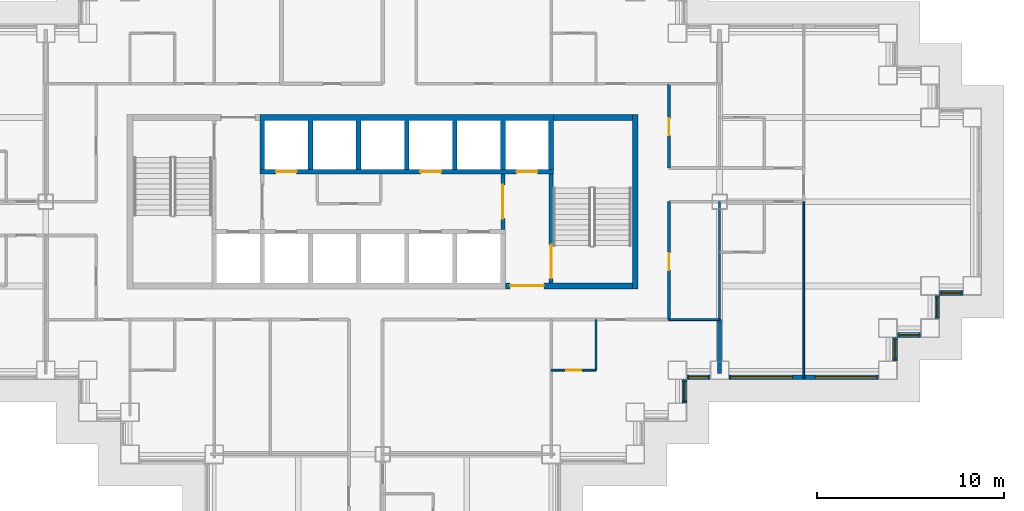
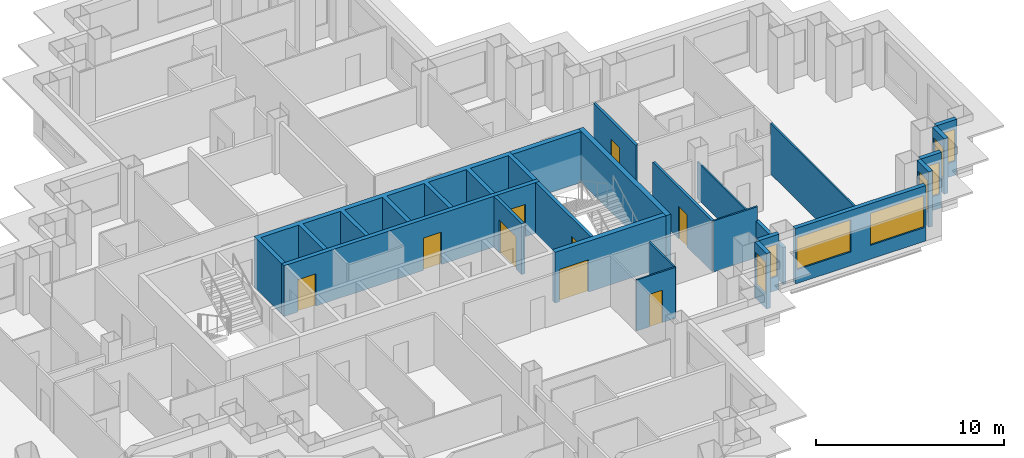
# One storey, part 6 of 14: 22 walls, 9 doors, 8 windows, 17 openings.
"""IFC4 building model written with IfcOpenShell, lengths in metres."""

import ifcopenshell
import ifcopenshell.guid

model = None  # the IFC model being written
_history = None  # IfcOwnerHistory: only IFC2X3 demands one
_inside = {}  # id of a spatial element -> (the spatial element, [elements in it])
_under = {}  # id of a project, library or spatial element -> (it, [spatial elements below it])
_declared = {}  # id of a project -> (the project, [libraries it declares])
_typed = {}  # id of a type object -> (the type object, [elements of that type])
_made_of = {}  # id of a material, layer set ... -> (it, [elements and type objects made of it])


def new_model(schema):
    """Start an empty IFC model of exactly this schema.

    Asked for "IFC4X3", IfcOpenShell would pick the latest addendum, in which some entities
    have other attributes; the version numbers below select the first issue.
    IFC2X3 requires an IfcOwnerHistory on every rooted entity: one is made here for all.
    """
    global model, _history
    if schema == "IFC4X3":
        model = ifcopenshell.file(schema_version=(4, 3, 0, 0))
    else:
        model = ifcopenshell.file(schema=schema)
    _inside.clear()
    _under.clear()
    _declared.clear()
    _typed.clear()
    _made_of.clear()
    _history = None
    if model.schema == "IFC2X3":
        org = make("IfcOrganization", Name="unknown")
        user = make(
            "IfcPersonAndOrganization",
            ThePerson=make("IfcPerson", FamilyName="unknown"),
            TheOrganization=org,
        )
        app = make(
            "IfcApplication",
            ApplicationDeveloper=org,
            Version="unknown",
            ApplicationFullName="unknown",
            ApplicationIdentifier="unknown",
        )
        _history = make(
            "IfcOwnerHistory",
            OwningUser=user,
            OwningApplication=app,
            ChangeAction="ADDED",
            CreationDate=0,
        )
    return model


def make(cls, **values):
    """One entity of the class cls with the attributes given. An attribute that is None is left unset."""
    return model.create_entity(
        cls, **{name: value for name, value in values.items() if value is not None}
    )


def rooted(cls, **values):
    """An entity with a GlobalId (a new one), such as an element, a storey or a relation."""
    return make(cls, GlobalId=ifcopenshell.guid.new(), OwnerHistory=_history, **values)


def si_unit(unit_type, name, prefix=None):
    """IfcSIUnit, for example si_unit("LENGTHUNIT", "METRE", prefix="MILLI")."""
    return make("IfcSIUnit", UnitType=unit_type, Prefix=prefix, Name=name)


def assignment(units):
    """IfcUnitAssignment: the units of a project."""
    return None if units is None else make("IfcUnitAssignment", Units=units)


def point(xyz):
    """IfcCartesianPoint."""
    return None if xyz is None else make("IfcCartesianPoint", Coordinates=xyz)


def direction(xyz):
    """IfcDirection."""
    return None if xyz is None else make("IfcDirection", DirectionRatios=xyz)


def frame(location, z_axis=None, x_axis=None):
    """IfcAxis2Placement3D, a coordinate frame: its origin and axes. An axis left out is left unset."""
    return make(
        "IfcAxis2Placement3D",
        Location=point(location),
        Axis=direction(z_axis),
        RefDirection=direction(x_axis),
    )


def frame_2d(location, x_axis=None):
    """IfcAxis2Placement2D, a coordinate frame in the plane: its origin and x axis."""
    return make(
        "IfcAxis2Placement2D", Location=point(location), RefDirection=direction(x_axis)
    )


def origin():
    """The frame at (0, 0, 0) with its axes left unset."""
    return frame((0.0, 0.0, 0.0))


def place(relative_to, where):
    """IfcLocalPlacement: puts the frame where relative to a parent placement (None: the world)."""
    return make(
        "IfcLocalPlacement", PlacementRelTo=relative_to, RelativePlacement=where
    )


def context(
    kind, dimensions, precision=None, world=None, true_north=None, identifier=None
):
    """IfcGeometricRepresentationContext, for example the 3D "Model" context."""
    return make(
        "IfcGeometricRepresentationContext",
        ContextIdentifier=identifier,
        ContextType=kind,
        CoordinateSpaceDimension=dimensions,
        Precision=precision,
        WorldCoordinateSystem=world,
        TrueNorth=true_north,
    )


def subcontext(parent, identifier, kind, view, scale=None):
    """IfcGeometricRepresentationSubContext, for example "Body" below "Model"."""
    return make(
        "IfcGeometricRepresentationSubContext",
        ContextIdentifier=identifier,
        ContextType=kind,
        ParentContext=parent,
        TargetScale=scale,
        TargetView=view,
    )


def project(units=None, contexts=None):
    """IfcProject with its units and contexts."""
    return rooted(
        "IfcProject",
        Name="project",
        RepresentationContexts=contexts,
        UnitsInContext=assignment(units),
    )


def spatial(cls, under=None, at=None, **own):
    """A site, building, storey or space (cls), placed at a placement, below another one or the project."""
    s = rooted(cls, ObjectPlacement=at, **own)
    if under is not None:
        _under.setdefault(under.id(), (under, []))[1].append(s)
    return s


def polyline(points):
    """IfcPolyline through the points."""
    return make("IfcPolyline", Points=[point(p) for p in points])


def profile(cls, at=None, kind="AREA", **sizes):
    """A parametric profile (cls). Its sizes go by their IFC names, for example OverallWidth=200.0."""
    return make(cls, ProfileType=kind, Position=at, **sizes)


def rectangle(**sizes):
    """IfcRectangleProfileDef."""
    return profile("IfcRectangleProfileDef", **sizes)


def outline(outer, holes=None, kind="AREA"):
    """IfcArbitraryClosedProfileDef: a profile drawn as a closed curve; with holes, ...WithVoids."""
    if holes is None:
        return make("IfcArbitraryClosedProfileDef", ProfileType=kind, OuterCurve=outer)
    return make(
        "IfcArbitraryProfileDefWithVoids",
        ProfileType=kind,
        OuterCurve=outer,
        InnerCurves=holes,
    )


def extrude(swept, where, along, depth):
    """IfcExtrudedAreaSolid: the profile swept, set in the frame where, extruded along a direction by depth."""
    return make(
        "IfcExtrudedAreaSolid",
        SweptArea=swept,
        Position=where,
        ExtrudedDirection=direction(along),
        Depth=depth,
    )


def shape(context_of_items, identifier, shape_type, items):
    """IfcShapeRepresentation: the items that make up one representation, for example the "Body"."""
    return make(
        "IfcShapeRepresentation",
        ContextOfItems=context_of_items,
        RepresentationIdentifier=identifier,
        RepresentationType=shape_type,
        Items=items,
    )


def material(Name=None, Category=None):
    """IfcMaterial."""
    return make("IfcMaterial", Name=Name, Category=Category)


def layer(
    of_material, thickness, ventilated=None, Name=None, Category=None, Priority=None
):
    """IfcMaterialLayer: one layer of a wall or slab, of a material (None: an air gap)."""
    return make(
        "IfcMaterialLayer",
        Material=of_material,
        LayerThickness=thickness,
        IsVentilated=ventilated,
        Name=Name,
        Category=Category,
        Priority=Priority,
    )


def layer_set(layers, Name=None):
    """IfcMaterialLayerSet."""
    return make("IfcMaterialLayerSet", MaterialLayers=layers, LayerSetName=Name)


def made_of(thing, what):
    """Note that an element or type object is made of a material, layer set ...; save() writes the relation."""
    if what is not None:
        _made_of.setdefault(what.id(), (what, []))[1].append(thing)
    return thing


def type_object(cls, material=None, **own):
    """A type object (cls), such as IfcWallType, which elements share."""
    return made_of(rooted(cls, **own), material)


def element(
    cls,
    number,
    at=None,
    inside=None,
    cuts=None,
    type_object=None,
    material=None,
    context=None,
    identifier="Body",
    shape_type=None,
    held_by="IfcProductDefinitionShape",
    body=None,
    shapes=None,
    **own,
):
    """One element of the class cls, such as IfcWall. Its Tag is "e" and its number.

    at: its placement. inside: the storey or other place that contains it. cuts: it is an
    opening in that element (IfcRelVoidsElement). A single representation is given by context,
    identifier, shape_type and body (its items); several are given by shapes. held_by: the class
    of the entity that holds the representations. save() writes the other relations.
    """
    e = rooted(cls, Tag="e%d" % number, ObjectPlacement=at, **own)
    if body is not None:
        shapes = [shape(context, identifier, shape_type, body)]
    if shapes is not None:
        e.Representation = make(held_by, Representations=shapes)
    if inside is not None:
        _inside.setdefault(inside.id(), (inside, []))[1].append(e)
    if cuts is not None:
        rooted(
            "IfcRelVoidsElement", RelatingBuildingElement=cuts, RelatedOpeningElement=e
        )
    if type_object is not None:
        _typed.setdefault(type_object.id(), (type_object, []))[1].append(e)
    return made_of(e, material)


def fill(opening, filler):
    """IfcRelFillsElement: the door or window that sits in an opening."""
    return rooted(
        "IfcRelFillsElement",
        RelatingOpeningElement=opening,
        RelatedBuildingElement=filler,
    )


def aggregate(whole, parts):
    """IfcRelAggregates: a whole, such as a stair, and the parts it consists of."""
    return rooted("IfcRelAggregates", RelatingObject=whole, RelatedObjects=parts)


def save(model, path):
    """Write the relations noted so far, then the file.

    IfcRelAggregates (storeys below a building ...), IfcRelContainedInSpatialStructure (elements
    in a storey), IfcRelDefinesByType, IfcRelAssociatesMaterial and IfcRelDeclares: one each for
    every whole, place, type object, material and project.
    """
    for whole, parts in _under.values():
        aggregate(whole, parts)
    for where, things in _inside.values():
        rooted(
            "IfcRelContainedInSpatialStructure",
            RelatedElements=things,
            RelatingStructure=where,
        )
    for kind, things in _typed.values():
        rooted("IfcRelDefinesByType", RelatedObjects=things, RelatingType=kind)
    for what, things in _made_of.values():
        rooted("IfcRelAssociatesMaterial", RelatedObjects=things, RelatingMaterial=what)
    for by, libraries in _declared.values():
        rooted("IfcRelDeclares", RelatingContext=by, RelatedDefinitions=libraries)
    model.write(path)


model = new_model("IFC4")

# Units and contexts
model_context = context("Model", 3, precision=1e-05, world=origin(), true_north=direction((0.0, 1.0)))
body_context = subcontext(model_context, "Body", "Model", "MODEL_VIEW")
ifc_project = project(units=[si_unit("LENGTHUNIT", "METRE"), si_unit("AREAUNIT", "SQUARE_METRE"), si_unit("VOLUMEUNIT", "CUBIC_METRE"), si_unit("PLANEANGLEUNIT", "RADIAN"), si_unit("MASSUNIT", "GRAM", prefix="KILO")], contexts=[model_context])

# Site, building, storey
site_placement = place(None, origin())
site = spatial("IfcSite", under=ifc_project, at=site_placement, CompositionType="ELEMENT")
building_placement = place(site_placement, origin())
building = spatial("IfcBuilding", under=site, at=building_placement, Name="Caravel Reach Hotel and Residences", CompositionType="ELEMENT")
storey_placement = place(building_placement, frame((0.0, 0.0, 67.199951171875)))
storey = spatial("IfcBuildingStorey", under=building, at=storey_placement, Name="L15", CompositionType="ELEMENT", Elevation=67.199951171875)

# Wall, opening, door
ifc_material_1 = material(Name="Gypsum board on steel stud", Category="steel")
ifc_layer_1 = layer(ifc_material_1, 0.10009765625)
ifc_layer_set_1 = layer_set([ifc_layer_1], Name="Bathroom pod wall 100 mm")
wall_type_1 = type_object("IfcWallType", Name="Bathroom pod wall 100 mm", PredefinedType="PARTITIONING", material=ifc_layer_set_1)
wall_1_placement = place(storey_placement, frame((40.5, 18.0, 0.0), z_axis=(0.0, 0.0, 1.0), x_axis=(1.0, 0.0, 0.0)))
wall_1 = element("IfcWall", 1, at=wall_1_placement, inside=storey, type_object=wall_type_1, Name="L15 wall w076", PredefinedType="PARTITIONING", context=body_context, shape_type="SweptSolid", body=[
    extrude(rectangle(XDim=2.39990234375, YDim=0.10009765625, at=frame_2d((1.199951171875, 0.0))), origin(), (0.0, 0.0, 1.0), 3.300048828125),
])
opening_1_placement = place(wall_1_placement, frame((0.800048828125, 0.0, 0.0)))
opening_1 = element("IfcOpeningElement", 2, at=opening_1_placement, cuts=wall_1, Name="Opening D15-050", PredefinedType="OPENING", context=body_context, shape_type="SweptSolid", body=[
    extrude(rectangle(XDim=0.800048828125, YDim=2.10009765625, at=frame_2d((0.39990234375, 1.050048828125))), frame((0.0, 0.06005859375, 0.0), z_axis=(0.0, -1.0, 0.0), x_axis=(1.0, 0.0, 0.0)), (0.0, 0.0, 1.0), 0.1201171875),
])
ifc_material_2 = material(Name="Timber and steel door leaf", Category="steel")
door_type_1 = type_object("IfcDoorType", Name="Bathroom door 800 x 2100", OperationType="SINGLE_SWING_LEFT", PredefinedType="DOOR", material=ifc_material_2)
door_1_placement = place(opening_1_placement, origin())
door_1 = element("IfcDoor", 3, at=door_1_placement, inside=storey, type_object=door_type_1, Name="door D15-050", OperationType="SINGLE_SWING_LEFT", OverallHeight=2.10009765625, OverallWidth=0.800048828125, PredefinedType="DOOR", context=body_context, shape_type="SweptSolid", body=[
    extrude(rectangle(XDim=0.800048828125, YDim=2.10009765625, at=frame_2d((0.39990234375, 1.050048828125))), frame((0.0, 0.02490234375, 0.0), z_axis=(0.0, -1.0, 0.0), x_axis=(1.0, 0.0, 0.0)), (0.0, 0.0, 1.0), 0.050048828125),
])
fill(opening_1, door_1)

# Wall
wall_2_placement = place(storey_placement, frame((42.89990234375, 18.0, 0.0), z_axis=(0.0, 0.0, 1.0), x_axis=(0.0, 1.0, 0.0)))
element("IfcWall", 4, at=wall_2_placement, inside=storey, type_object=wall_type_1, Name="L15 wall w102", PredefinedType="PARTITIONING", context=body_context, shape_type="SweptSolid", body=[
    extrude(rectangle(XDim=2.699951171875, YDim=0.10009765625, at=frame_2d((1.35009765625, 0.0))), origin(), (0.0, 0.0, 1.0), 3.300048828125),
])

# Wall, opening, door
ifc_material_3 = material(Name="Concrete C60", Category="concrete")
ifc_layer_2 = layer(ifc_material_3, 0.300048828125)
ifc_layer_set_2 = layer_set([ifc_layer_2], Name="Core wall 300 mm EI 120")
wall_type_2 = type_object("IfcWallType", Name="Core wall 300 mm EI 120", PredefinedType="SHEAR", material=ifc_layer_set_2)
wall_3_placement = place(storey_placement, frame((38.053466796875, 22.5, 0.0), z_axis=(0.0, 0.0, 1.0), x_axis=(1.0, 0.0, 0.0)))
wall_3 = element("IfcWall", 5, at=wall_3_placement, inside=storey, type_object=wall_type_2, Name="L15 core wall S2", PredefinedType="SHEAR", context=body_context, shape_type="SweptSolid", body=[
    extrude(rectangle(XDim=6.796630859375, YDim=0.300048828125, at=frame_2d((3.3984375, 0.0))), origin(), (0.0, 0.0, 1.0), 3.300048828125),
])
opening_2_placement = place(wall_3_placement, frame((0.2607421875, 0.0, 0.0)))
opening_2 = element("IfcOpeningElement", 6, at=opening_2_placement, cuts=wall_3, Name="Opening D15-014", PredefinedType="OPENING", context=body_context, shape_type="SweptSolid", body=[
    extrude(rectangle(XDim=1.800048828125, YDim=2.10009765625, at=frame_2d((0.89990234375, 1.050048828125))), frame((0.0, 0.159912109375, 0.0), z_axis=(0.0, -1.0, 0.0), x_axis=(1.0, 0.0, 0.0)), (0.0, 0.0, 1.0), 0.320068359375),
])
ifc_material_4 = material(Name="Steel fire door leaf", Category="steel")
door_type_2 = type_object("IfcDoorType", Name="Fire lobby door pair 1800 x 2100 EI 90", OperationType="DOUBLE_DOOR_SINGLE_SWING", PredefinedType="DOOR", material=ifc_material_4)
door_2_placement = place(opening_2_placement, origin())
door_2 = element("IfcDoor", 7, at=door_2_placement, inside=storey, type_object=door_type_2, Name="lobby S door pair to corridor", OperationType="DOUBLE_DOOR_SINGLE_SWING", OverallHeight=2.10009765625, OverallWidth=1.800048828125, PredefinedType="DOOR", context=body_context, shape_type="SweptSolid", body=[
    extrude(rectangle(XDim=1.800048828125, YDim=2.10009765625, at=frame_2d((0.89990234375, 1.050048828125))), frame((0.0, 0.02490234375, 0.0), z_axis=(0.0, -1.0, 0.0), x_axis=(1.0, 0.0, 0.0)), (0.0, 0.0, 1.0), 0.050048828125),
])
fill(opening_2, door_2)

# Walls
wall_4_placement = place(storey_placement, frame((40.625, 31.5, 0.0), z_axis=(0.0, 0.0, 1.0), x_axis=(1.0, 0.0, 0.0)))
element("IfcWall", 8, at=wall_4_placement, inside=storey, type_object=wall_type_2, Name="L15 core wall N2", PredefinedType="SHEAR", context=body_context, shape_type="SweptSolid", body=[
    extrude(rectangle(XDim=4.22509765625, YDim=0.300048828125, at=frame_2d((2.112548828125, 0.0))), origin(), (0.0, 0.0, 1.0), 3.300048828125),
])
wall_5_placement = place(storey_placement, frame((45.0, 22.35009765625, 0.0), z_axis=(0.0, 0.0, 1.0), x_axis=(0.0, 1.0, 0.0)))
element("IfcWall", 9, at=wall_5_placement, inside=storey, type_object=wall_type_2, Name="L15 core wall E", PredefinedType="SHEAR", context=body_context, shape_type="SweptSolid", body=[
    extrude(rectangle(XDim=9.2998046875, YDim=0.300048828125, at=frame_2d((4.64990234375, 0.0))), origin(), (0.0, 0.0, 1.0), 3.300048828125),
])

# Wall, opening, door
ifc_material_5 = material(Name="Gypsum board on steel stud, fire-rated", Category="steel")
ifc_layer_3 = layer(ifc_material_5, 0.14990234375)
ifc_layer_set_3 = layer_set([ifc_layer_3], Name="Corridor wall 150 mm EI 60")
wall_type_3 = type_object("IfcWallType", Name="Corridor wall 150 mm EI 60", PredefinedType="PARTITIONING", material=ifc_layer_set_3)
wall_6_placement = place(storey_placement, frame((46.800048828125, 28.800048828125, 0.0), z_axis=(0.0, 0.0, 1.0), x_axis=(0.0, 1.0, 0.0)))
wall_6 = element("IfcWall", 10, at=wall_6_placement, inside=storey, type_object=wall_type_3, Name="L15 wall w034", PredefinedType="PARTITIONING", context=body_context, shape_type="SweptSolid", body=[
    extrude(rectangle(XDim=4.5, YDim=0.14990234375, at=frame_2d((2.25, 0.0))), origin(), (0.0, 0.0, 1.0), 3.300048828125),
])
opening_3_placement = place(wall_6_placement, frame((1.75, 0.0, 0.0)))
opening_3 = element("IfcOpeningElement", 11, at=opening_3_placement, cuts=wall_6, Name="Opening D15-060", PredefinedType="OPENING", context=body_context, shape_type="SweptSolid", body=[
    extrude(rectangle(XDim=0.89990234375, YDim=2.10009765625, at=frame_2d((0.449951171875, 1.050048828125))), frame((0.0, 0.0849609375, 0.0), z_axis=(0.0, -1.0, 0.0), x_axis=(1.0, 0.0, 0.0)), (0.0, 0.0, 1.0), 0.169921875),
])
ifc_material_6 = material(Name="Timber and steel door leaf", Category="steel")
door_type_3 = type_object("IfcDoorType", Name="Door 900 x 2100 timber", OperationType="SINGLE_SWING_LEFT", PredefinedType="DOOR", material=ifc_material_6)
door_3_placement = place(opening_3_placement, origin())
door_3 = element("IfcDoor", 12, at=door_3_placement, inside=storey, type_object=door_type_3, Name="door D15-060", OperationType="SINGLE_SWING_LEFT", OverallHeight=2.10009765625, OverallWidth=0.89990234375, PredefinedType="DOOR", context=body_context, shape_type="SweptSolid", body=[
    extrude(rectangle(XDim=0.89990234375, YDim=2.10009765625, at=frame_2d((0.449951171875, 1.050048828125))), frame((0.0, 0.02490234375, 0.0), z_axis=(0.0, -1.0, 0.0), x_axis=(1.0, 0.0, 0.0)), (0.0, 0.0, 1.0), 0.050048828125),
])
fill(opening_3, door_3)

wall_7_placement = place(storey_placement, frame((46.800048828125, 20.699951171875, 0.0), z_axis=(0.0, 0.0, 1.0), x_axis=(0.0, 1.0, 0.0)))
wall_7 = element("IfcWall", 13, at=wall_7_placement, inside=storey, type_object=wall_type_3, Name="L15 wall w035", PredefinedType="PARTITIONING", context=body_context, shape_type="SweptSolid", body=[
    extrude(rectangle(XDim=6.300048828125, YDim=0.14990234375, at=frame_2d((3.14990234375, 0.0))), origin(), (0.0, 0.0, 1.0), 3.300048828125),
])
opening_4_placement = place(wall_7_placement, frame((2.64990234375, 0.0, 0.0)))
opening_4 = element("IfcOpeningElement", 14, at=opening_4_placement, cuts=wall_7, Name="Opening D15-059", PredefinedType="OPENING", context=body_context, shape_type="SweptSolid", body=[
    extrude(rectangle(XDim=0.89990234375, YDim=2.10009765625, at=frame_2d((0.449951171875, 1.050048828125))), frame((0.0, 0.0849609375, 0.0), z_axis=(0.0, -1.0, 0.0), x_axis=(1.0, 0.0, 0.0)), (0.0, 0.0, 1.0), 0.169921875),
])
door_4_placement = place(opening_4_placement, origin())
door_4 = element("IfcDoor", 15, at=door_4_placement, inside=storey, type_object=door_type_3, Name="door D15-059", OperationType="SINGLE_SWING_RIGHT", OverallHeight=2.10009765625, OverallWidth=0.89990234375, PredefinedType="DOOR", context=body_context, shape_type="SweptSolid", body=[
    extrude(rectangle(XDim=0.89990234375, YDim=2.10009765625, at=frame_2d((0.449951171875, 1.050048828125))), frame((0.0, 0.02490234375, 0.0), z_axis=(0.0, -1.0, 0.0), x_axis=(1.0, 0.0, 0.0)), (0.0, 0.0, 1.0), 0.050048828125),
])
fill(opening_4, door_4)

# Wall, opening, window
ifc_material_7 = material(Name="Insulated rainscreen wall, aluminium cladding", Category="aluminium")
ifc_layer_4 = layer(ifc_material_7, 0.25)
ifc_layer_set_4 = layer_set([ifc_layer_4], Name="EW1 Tower rainscreen wall")
wall_type_4 = type_object("IfcWallType", Name="EW1 Tower rainscreen wall", PredefinedType="SOLIDWALL", material=ifc_layer_set_4)
wall_8_placement = place(storey_placement, frame((47.625, 16.25, 0.0), z_axis=(0.0, 0.0, 1.0), x_axis=(0.0, 1.0, 0.0)))
wall_8 = element("IfcWall", 16, at=wall_8_placement, inside=storey, type_object=wall_type_4, Name="External wall L15 E14.1", PredefinedType="SOLIDWALL", context=body_context, shape_type="SweptSolid", body=[
    extrude(rectangle(XDim=1.25, YDim=0.25, at=frame_2d((0.625, 0.0))), origin(), (0.0, 0.0, 1.0), 3.60009765625),
])
opening_5_placement = place(wall_8_placement, frame((0.10009765625, 0.0, 0.89990234375)))
opening_5 = element("IfcOpeningElement", 17, at=opening_5_placement, cuts=wall_8, Name="Opening WN3", PredefinedType="OPENING", context=body_context, shape_type="SweptSolid", body=[
    extrude(rectangle(XDim=1.050048828125, YDim=2.080078125, at=frame_2d((0.52490234375, 1.0400390625))), frame((0.0, 0.135009765625, 0.0), z_axis=(0.0, -1.0, 0.0), x_axis=(1.0, 0.0, 0.0)), (0.0, 0.0, 1.0), 0.27001953125),
])
ifc_material_8 = material(Name="Dark low-e glazing in black aluminium frame", Category="aluminium")
window_type_1 = type_object("IfcWindowType", Name="Hotel suite corner window 1050 x 2080", PartitioningType="SINGLE_PANEL", PredefinedType="WINDOW", material=ifc_material_8)
window_1_placement = place(opening_5_placement, origin())
window_1 = element("IfcWindow", 18, at=window_1_placement, inside=storey, type_object=window_type_1, Name="Window L15 E14.1.1", OverallHeight=2.080078125, OverallWidth=1.050048828125, PartitioningType="SINGLE_PANEL", PredefinedType="WINDOW", context=body_context, shape_type="SweptSolid", body=[
    extrude(rectangle(XDim=1.050048828125, YDim=2.080078125, at=frame_2d((0.52490234375, 1.0400390625))), frame((0.0, 0.030029296875, 0.0), z_axis=(0.0, -1.0, 0.0), x_axis=(1.0, 0.0, 0.0)), (0.0, 0.0, 1.0), 0.06005859375),
])
fill(opening_5, window_1)

wall_9_placement = place(storey_placement, frame((47.75, 17.625, 0.0), z_axis=(0.0, 0.0, 1.0), x_axis=(1.0, 0.0, 0.0)))
wall_9 = element("IfcWall", 19, at=wall_9_placement, inside=storey, type_object=wall_type_4, Name="External wall L15 S15.1", PredefinedType="SOLIDWALL", context=body_context, shape_type="SweptSolid", body=[
    extrude(rectangle(XDim=1.25, YDim=0.25, at=frame_2d((0.625, 0.0))), origin(), (0.0, 0.0, 1.0), 3.60009765625),
])
opening_6_placement = place(wall_9_placement, frame((0.10009765625, 0.0, 0.89990234375)))
opening_6 = element("IfcOpeningElement", 20, at=opening_6_placement, cuts=wall_9, Name="Opening WN3", PredefinedType="OPENING", context=body_context, shape_type="SweptSolid", body=[
    extrude(rectangle(XDim=1.050048828125, YDim=2.080078125, at=frame_2d((0.52490234375, 1.0400390625))), frame((0.0, 0.135009765625, 0.0), z_axis=(0.0, -1.0, 0.0), x_axis=(1.0, 0.0, 0.0)), (0.0, 0.0, 1.0), 0.27001953125),
])
window_2_placement = place(opening_6_placement, origin())
window_2 = element("IfcWindow", 21, at=window_2_placement, inside=storey, type_object=window_type_1, Name="Window L15 S15.1.1", OverallHeight=2.080078125, OverallWidth=1.050048828125, PartitioningType="SINGLE_PANEL", PredefinedType="WINDOW", context=body_context, shape_type="SweptSolid", body=[
    extrude(rectangle(XDim=1.050048828125, YDim=2.080078125, at=frame_2d((0.52490234375, 1.0400390625))), frame((0.0, 0.030029296875, 0.0), z_axis=(0.0, -1.0, 0.0), x_axis=(1.0, 0.0, 0.0)), (0.0, 0.0, 1.0), 0.06005859375),
])
fill(opening_6, window_2)

# Wall, openings, windows
wall_10_placement = place(storey_placement, frame((50.0, 17.625, 0.0), z_axis=(0.0, 0.0, 1.0), x_axis=(1.0, 0.0, 0.0)))
wall_10 = element("IfcWall", 22, at=wall_10_placement, inside=storey, type_object=wall_type_4, Name="External wall L15 S15.2", PredefinedType="SOLIDWALL", context=body_context, shape_type="SweptSolid", body=[
    extrude(rectangle(XDim=8.0, YDim=0.25, at=frame_2d((4.0, 0.0))), origin(), (0.0, 0.0, 1.0), 3.60009765625),
])
opening_7_placement = place(wall_10_placement, frame((0.10009765625, 0.0, 0.89990234375)))
opening_7 = element("IfcOpeningElement", 23, at=opening_7_placement, cuts=wall_10, Name="Opening WN4", PredefinedType="OPENING", context=body_context, shape_type="SweptSolid", body=[
    extrude(rectangle(XDim=3.300048828125, YDim=2.080078125, at=frame_2d((1.64990234375, 1.0400390625))), frame((0.0, 0.135009765625, 0.0), z_axis=(0.0, -1.0, 0.0), x_axis=(1.0, 0.0, 0.0)), (0.0, 0.0, 1.0), 0.27001953125),
])
opening_8_placement = place(wall_10_placement, frame((4.60009765625, 0.0, 0.89990234375)))
opening_8 = element("IfcOpeningElement", 24, at=opening_8_placement, cuts=wall_10, Name="Opening WN4", PredefinedType="OPENING", context=body_context, shape_type="SweptSolid", body=[
    extrude(rectangle(XDim=3.300048828125, YDim=2.080078125, at=frame_2d((1.64990234375, 1.0400390625))), frame((0.0, 0.135009765625, 0.0), z_axis=(0.0, -1.0, 0.0), x_axis=(1.0, 0.0, 0.0)), (0.0, 0.0, 1.0), 0.27001953125),
])
ifc_material_9 = material(Name="Dark low-e glazing in black aluminium frame", Category="aluminium")
window_type_2 = type_object("IfcWindowType", Name="Hotel guest room window 3300 x 2080", PartitioningType="SINGLE_PANEL", PredefinedType="WINDOW", material=ifc_material_9)
window_3_placement = place(opening_7_placement, origin())
window_3 = element("IfcWindow", 25, at=window_3_placement, inside=storey, type_object=window_type_2, Name="Window L15 S15.2.1", OverallHeight=2.080078125, OverallWidth=3.300048828125, PartitioningType="SINGLE_PANEL", PredefinedType="WINDOW", context=body_context, shape_type="SweptSolid", body=[
    extrude(rectangle(XDim=3.300048828125, YDim=2.080078125, at=frame_2d((1.64990234375, 1.0400390625))), frame((0.0, 0.030029296875, 0.0), z_axis=(0.0, -1.0, 0.0), x_axis=(1.0, 0.0, 0.0)), (0.0, 0.0, 1.0), 0.06005859375),
])
fill(opening_7, window_3)
window_4_placement = place(opening_8_placement, origin())
window_4 = element("IfcWindow", 26, at=window_4_placement, inside=storey, type_object=window_type_2, Name="Window L15 S15.2.2", OverallHeight=2.080078125, OverallWidth=3.300048828125, PartitioningType="SINGLE_PANEL", PredefinedType="WINDOW", context=body_context, shape_type="SweptSolid", body=[
    extrude(rectangle(XDim=3.300048828125, YDim=2.080078125, at=frame_2d((1.64990234375, 1.0400390625))), frame((0.0, 0.030029296875, 0.0), z_axis=(0.0, -1.0, 0.0), x_axis=(1.0, 0.0, 0.0)), (0.0, 0.0, 1.0), 0.06005859375),
])
fill(opening_8, window_4)

# Wall, opening, window
wall_11_placement = place(storey_placement, frame((58.875, 18.5, 0.0), z_axis=(0.0, 0.0, 1.0), x_axis=(0.0, 1.0, 0.0)))
wall_11 = element("IfcWall", 27, at=wall_11_placement, inside=storey, type_object=wall_type_4, Name="External wall L15 E16.1", PredefinedType="SOLIDWALL", context=body_context, shape_type="SweptSolid", body=[
    extrude(rectangle(XDim=1.25, YDim=0.25, at=frame_2d((0.625, 0.0))), origin(), (0.0, 0.0, 1.0), 3.60009765625),
])
opening_9_placement = place(wall_11_placement, frame((0.10009765625, 0.0, 0.89990234375)))
opening_9 = element("IfcOpeningElement", 28, at=opening_9_placement, cuts=wall_11, Name="Opening WN3", PredefinedType="OPENING", context=body_context, shape_type="SweptSolid", body=[
    extrude(rectangle(XDim=1.050048828125, YDim=2.080078125, at=frame_2d((0.52490234375, 1.0400390625))), frame((0.0, 0.135009765625, 0.0), z_axis=(0.0, -1.0, 0.0), x_axis=(1.0, 0.0, 0.0)), (0.0, 0.0, 1.0), 0.27001953125),
])
window_5_placement = place(opening_9_placement, origin())
window_5 = element("IfcWindow", 29, at=window_5_placement, inside=storey, type_object=window_type_1, Name="Window L15 E16.1.1", OverallHeight=2.080078125, OverallWidth=1.050048828125, PartitioningType="SINGLE_PANEL", PredefinedType="WINDOW", context=body_context, shape_type="SweptSolid", body=[
    extrude(rectangle(XDim=1.050048828125, YDim=2.080078125, at=frame_2d((0.52490234375, 1.0400390625))), frame((0.0, 0.030029296875, 0.0), z_axis=(0.0, -1.0, 0.0), x_axis=(1.0, 0.0, 0.0)), (0.0, 0.0, 1.0), 0.06005859375),
])
fill(opening_9, window_5)

wall_12_placement = place(storey_placement, frame((59.0, 19.875, 0.0), z_axis=(0.0, 0.0, 1.0), x_axis=(1.0, 0.0, 0.0)))
wall_12 = element("IfcWall", 30, at=wall_12_placement, inside=storey, type_object=wall_type_4, Name="External wall L15 S17.1", PredefinedType="SOLIDWALL", context=body_context, shape_type="SweptSolid", body=[
    extrude(rectangle(XDim=1.25, YDim=0.25, at=frame_2d((0.625, 0.0))), origin(), (0.0, 0.0, 1.0), 3.60009765625),
])
opening_10_placement = place(wall_12_placement, frame((0.10009765625, 0.0, 0.89990234375)))
opening_10 = element("IfcOpeningElement", 31, at=opening_10_placement, cuts=wall_12, Name="Opening WN3", PredefinedType="OPENING", context=body_context, shape_type="SweptSolid", body=[
    extrude(rectangle(XDim=1.050048828125, YDim=2.080078125, at=frame_2d((0.52490234375, 1.0400390625))), frame((0.0, 0.135009765625, 0.0), z_axis=(0.0, -1.0, 0.0), x_axis=(1.0, 0.0, 0.0)), (0.0, 0.0, 1.0), 0.27001953125),
])
window_6_placement = place(opening_10_placement, origin())
window_6 = element("IfcWindow", 32, at=window_6_placement, inside=storey, type_object=window_type_1, Name="Window L15 S17.1.1", OverallHeight=2.080078125, OverallWidth=1.050048828125, PartitioningType="SINGLE_PANEL", PredefinedType="WINDOW", context=body_context, shape_type="SweptSolid", body=[
    extrude(rectangle(XDim=1.050048828125, YDim=2.080078125, at=frame_2d((0.52490234375, 1.0400390625))), frame((0.0, 0.030029296875, 0.0), z_axis=(0.0, -1.0, 0.0), x_axis=(1.0, 0.0, 0.0)), (0.0, 0.0, 1.0), 0.06005859375),
])
fill(opening_10, window_6)

wall_13_placement = place(storey_placement, frame((61.125, 20.75, 0.0), z_axis=(0.0, 0.0, 1.0), x_axis=(0.0, 1.0, 0.0)))
wall_13 = element("IfcWall", 33, at=wall_13_placement, inside=storey, type_object=wall_type_4, Name="External wall L15 E18.1", PredefinedType="SOLIDWALL", context=body_context, shape_type="SweptSolid", body=[
    extrude(rectangle(XDim=1.25, YDim=0.25, at=frame_2d((0.625, 0.0))), origin(), (0.0, 0.0, 1.0), 3.60009765625),
])
opening_11_placement = place(wall_13_placement, frame((0.10009765625, 0.0, 0.89990234375)))
opening_11 = element("IfcOpeningElement", 34, at=opening_11_placement, cuts=wall_13, Name="Opening WN3", PredefinedType="OPENING", context=body_context, shape_type="SweptSolid", body=[
    extrude(rectangle(XDim=1.050048828125, YDim=2.080078125, at=frame_2d((0.52490234375, 1.0400390625))), frame((0.0, 0.135009765625, 0.0), z_axis=(0.0, -1.0, 0.0), x_axis=(1.0, 0.0, 0.0)), (0.0, 0.0, 1.0), 0.27001953125),
])
window_7_placement = place(opening_11_placement, origin())
window_7 = element("IfcWindow", 35, at=window_7_placement, inside=storey, type_object=window_type_1, Name="Window L15 E18.1.1", OverallHeight=2.080078125, OverallWidth=1.050048828125, PartitioningType="SINGLE_PANEL", PredefinedType="WINDOW", context=body_context, shape_type="SweptSolid", body=[
    extrude(rectangle(XDim=1.050048828125, YDim=2.080078125, at=frame_2d((0.52490234375, 1.0400390625))), frame((0.0, 0.030029296875, 0.0), z_axis=(0.0, -1.0, 0.0), x_axis=(1.0, 0.0, 0.0)), (0.0, 0.0, 1.0), 0.06005859375),
])
fill(opening_11, window_7)

wall_14_placement = place(storey_placement, frame((61.25, 22.125, 0.0), z_axis=(0.0, 0.0, 1.0), x_axis=(1.0, 0.0, 0.0)))
wall_14 = element("IfcWall", 36, at=wall_14_placement, inside=storey, type_object=wall_type_4, Name="External wall L15 S19.1", PredefinedType="SOLIDWALL", context=body_context, shape_type="SweptSolid", body=[
    extrude(rectangle(XDim=1.25, YDim=0.25, at=frame_2d((0.625, 0.0))), origin(), (0.0, 0.0, 1.0), 3.60009765625),
])
opening_12_placement = place(wall_14_placement, frame((0.10009765625, 0.0, 0.89990234375)))
opening_12 = element("IfcOpeningElement", 37, at=opening_12_placement, cuts=wall_14, Name="Opening WN3", PredefinedType="OPENING", context=body_context, shape_type="SweptSolid", body=[
    extrude(rectangle(XDim=1.050048828125, YDim=2.080078125, at=frame_2d((0.52490234375, 1.0400390625))), frame((0.0, 0.135009765625, 0.0), z_axis=(0.0, -1.0, 0.0), x_axis=(1.0, 0.0, 0.0)), (0.0, 0.0, 1.0), 0.27001953125),
])
window_8_placement = place(opening_12_placement, origin())
window_8 = element("IfcWindow", 38, at=window_8_placement, inside=storey, type_object=window_type_1, Name="Window L15 S19.1.1", OverallHeight=2.080078125, OverallWidth=1.050048828125, PartitioningType="SINGLE_PANEL", PredefinedType="WINDOW", context=body_context, shape_type="SweptSolid", body=[
    extrude(rectangle(XDim=1.050048828125, YDim=2.080078125, at=frame_2d((0.52490234375, 1.0400390625))), frame((0.0, 0.030029296875, 0.0), z_axis=(0.0, -1.0, 0.0), x_axis=(1.0, 0.0, 0.0)), (0.0, 0.0, 1.0), 0.06005859375),
])
fill(opening_12, window_8)

# Wall, opening, door
ifc_material_10 = material(Name="Autoclaved aerated block wall")
ifc_layer_5 = layer(ifc_material_10, 0.199951171875)
ifc_layer_set_5 = layer_set([ifc_layer_5], Name="Fire lobby wall 200 mm EI 120")
wall_type_5 = type_object("IfcWallType", Name="Fire lobby wall 200 mm EI 120", PredefinedType="PARTITIONING", material=ifc_layer_set_5)
wall_15_placement = place(storey_placement, frame((37.928466796875, 25.52490234375, 0.0), z_axis=(0.0, 0.0, 1.0), x_axis=(0.0, 1.0, 0.0)))
wall_15 = element("IfcWall", 39, at=wall_15_placement, inside=storey, type_object=wall_type_5, Name="L15 lobby E wall", PredefinedType="PARTITIONING", context=body_context, shape_type="SweptSolid", body=[
    extrude(rectangle(XDim=2.9501953125, YDim=0.199951171875, at=frame_2d((1.47509765625, 0.0))), origin(), (0.0, 0.0, 1.0), 3.300048828125),
])
opening_13_placement = place(wall_15_placement, frame((0.574951171875, 0.0, 0.0)))
opening_13 = element("IfcOpeningElement", 40, at=opening_13_placement, cuts=wall_15, Name="Opening D15-012", PredefinedType="OPENING", context=body_context, shape_type="SweptSolid", body=[
    extrude(rectangle(XDim=1.800048828125, YDim=2.10009765625, at=frame_2d((0.89990234375, 1.050048828125))), frame((0.0, 0.10986328125, 0.0), z_axis=(0.0, -1.0, 0.0), x_axis=(1.0, 0.0, 0.0)), (0.0, 0.0, 1.0), 0.219970703125),
])
door_5_placement = place(opening_13_placement, origin())
door_5 = element("IfcDoor", 41, at=door_5_placement, inside=storey, type_object=door_type_2, Name="lobby E door pair", OperationType="DOUBLE_DOOR_SINGLE_SWING", OverallHeight=2.10009765625, OverallWidth=1.800048828125, PredefinedType="DOOR", context=body_context, shape_type="SweptSolid", body=[
    extrude(rectangle(XDim=1.800048828125, YDim=2.10009765625, at=frame_2d((0.89990234375, 1.050048828125))), frame((0.0, 0.02490234375, 0.0), z_axis=(0.0, -1.0, 0.0), x_axis=(1.0, 0.0, 0.0)), (0.0, 0.0, 1.0), 0.050048828125),
])
fill(opening_13, door_5)

# Walls
ifc_material_11 = material(Name="Gypsum board on steel stud", Category="steel")
ifc_layer_6 = layer(ifc_material_11, 0.10009765625)
ifc_layer_set_6 = layer_set([ifc_layer_6], Name="Partition 100 mm")
wall_type_6 = type_object("IfcWallType", Name="Partition 100 mm", PredefinedType="PARTITIONING", material=ifc_layer_set_6)
wall_16_placement = place(storey_placement, frame((46.800048828125, 20.699951171875, 0.0), z_axis=(0.0, 0.0, 1.0), x_axis=(1.0, 0.0, 0.0)))
element("IfcWall", 42, at=wall_16_placement, inside=storey, type_object=wall_type_6, Name="L15 wall w041", PredefinedType="PARTITIONING", context=body_context, shape_type="SweptSolid", body=[
    extrude(rectangle(XDim=2.699951171875, YDim=0.10009765625, at=frame_2d((1.35009765625, 0.0))), origin(), (0.0, 0.0, 1.0), 3.300048828125),
])
wall_17_placement = place(storey_placement, frame((49.5, 20.699951171875, 0.0), z_axis=(0.0, 0.0, 1.0), x_axis=(0.0, 1.0, 0.0)))
element("IfcWall", 43, at=wall_17_placement, inside=storey, type_object=wall_type_6, Name="L15 wall w061", PredefinedType="PARTITIONING", context=body_context, shape_type="SweptSolid", body=[
    extrude(rectangle(XDim=6.300048828125, YDim=0.10009765625, at=frame_2d((3.14990234375, 0.0))), origin(), (0.0, 0.0, 1.0), 2.380126953125),
])
wall_18_placement = place(storey_placement, frame((54.0, 17.56005859375, 0.0), z_axis=(0.0, 0.0, 1.0), x_axis=(0.0, 1.0, 0.0)))
element("IfcWall", 44, at=wall_18_placement, inside=storey, type_object=wall_type_6, Name="L15 wall w063", PredefinedType="PARTITIONING", context=body_context, shape_type="SweptSolid", body=[
    extrude(rectangle(XDim=9.43994140625, YDim=0.10009765625, at=frame_2d((4.719970703125, 0.0))), origin(), (0.0, 0.0, 1.0), 3.300048828125),
])
ifc_material_12 = material(Name="Autoclaved aerated block wall")
ifc_layer_7 = layer(ifc_material_12, 0.199951171875)
ifc_layer_set_7 = layer_set([ifc_layer_7], Name="Party wall 200 mm EI 60")
wall_type_7 = type_object("IfcWallType", Name="Party wall 200 mm EI 60", PredefinedType="PARTITIONING", material=ifc_layer_set_7)
wall_19_placement = place(storey_placement, frame((49.5, 17.81005859375, 0.0), z_axis=(0.0, 0.0, 1.0), x_axis=(0.0, 1.0, 0.0)))
element("IfcWall", 45, at=wall_19_placement, inside=storey, type_object=wall_type_7, Name="L15 wall w072", PredefinedType="PARTITIONING", context=body_context, shape_type="SweptSolid", body=[
    extrude(rectangle(XDim=2.889892578125, YDim=0.199951171875, at=frame_2d((1.44482421875, 0.0))), origin(), (0.0, 0.0, 1.0), 2.380126953125),
])
ifc_material_13 = material(Name="Concrete C60", Category="concrete")
ifc_layer_8 = layer(ifc_material_13, 0.25)
ifc_layer_set_8 = layer_set([ifc_layer_8], Name="Shaft wall 250 mm EI 120")
wall_type_8 = type_object("IfcWallType", Name="Shaft wall 250 mm EI 120", PredefinedType="SHEAR", material=ifc_layer_set_8)
wall_20_placement = place(storey_placement, origin())
element("IfcWall", 46, at=wall_20_placement, inside=storey, type_object=wall_type_8, Name="L15 lift shaft wall N1", PredefinedType="SHEAR", context=body_context, shape_type="SweptSolid", body=[
    extrude(outline(polyline([(24.946533203125, 28.72509765625), (25.196533203125, 28.72509765625), (25.196533203125, 31.35009765625), (27.517822265625, 31.35009765625), (27.517822265625, 28.72509765625), (27.767822265625, 28.72509765625), (27.767822265625, 31.35009765625), (30.08935546875, 31.35009765625), (30.08935546875, 28.72509765625), (30.33935546875, 28.72509765625), (30.33935546875, 31.35009765625), (32.66064453125, 31.35009765625), (32.66064453125, 28.72509765625), (32.91064453125, 28.72509765625), (32.91064453125, 31.35009765625), (35.232177734375, 31.35009765625), (35.232177734375, 28.72509765625), (35.482177734375, 28.72509765625), (35.482177734375, 31.35009765625), (37.803466796875, 31.35009765625), (37.803466796875, 28.72509765625), (38.053466796875, 28.72509765625), (38.053466796875, 31.35009765625), (40.375, 31.35009765625), (40.375, 28.72509765625), (40.625, 28.72509765625), (40.625, 31.64990234375), (24.946533203125, 31.64990234375), (24.946533203125, 28.72509765625)])), origin(), (0.0, 0.0, 1.0), 3.300048828125),
])

# Wall, openings, doors
wall_21_placement = place(storey_placement, frame((24.946533203125, 28.60009765625, 0.0), z_axis=(0.0, 0.0, 1.0), x_axis=(1.0, 0.0, 0.0)))
wall_21 = element("IfcWall", 47, at=wall_21_placement, inside=storey, type_object=wall_type_8, Name="L15 lobby wall N1", PredefinedType="SHEAR", context=body_context, shape_type="SweptSolid", body=[
    extrude(rectangle(XDim=15.678466796875, YDim=0.25, at=frame_2d((7.83935546875, 0.0))), origin(), (0.0, 0.0, 1.0), 3.300048828125),
])
opening_14_placement = place(wall_21_placement, frame((0.860595703125, 0.0, 0.0)))
opening_14 = element("IfcOpeningElement", 48, at=opening_14_placement, cuts=wall_21, Name="Opening D15-004", PredefinedType="OPENING", context=body_context, shape_type="SweptSolid", body=[
    extrude(rectangle(XDim=1.10009765625, YDim=2.10009765625, at=frame_2d((0.550048828125, 1.050048828125))), frame((0.0, 0.135009765625, 0.0), z_axis=(0.0, -1.0, 0.0), x_axis=(1.0, 0.0, 0.0)), (0.0, 0.0, 1.0), 0.27001953125),
])
opening_15_placement = place(wall_21_placement, frame((8.574951171875, 0.0, 0.0)))
opening_15 = element("IfcOpeningElement", 49, at=opening_15_placement, cuts=wall_21, Name="Opening D15-005", PredefinedType="OPENING", context=body_context, shape_type="SweptSolid", body=[
    extrude(rectangle(XDim=1.10009765625, YDim=2.10009765625, at=frame_2d((0.550048828125, 1.050048828125))), frame((0.0, 0.135009765625, 0.0), z_axis=(0.0, -1.0, 0.0), x_axis=(1.0, 0.0, 0.0)), (0.0, 0.0, 1.0), 0.27001953125),
])
opening_16_placement = place(wall_21_placement, frame((13.718017578125, 0.0, 0.0)))
opening_16 = element("IfcOpeningElement", 50, at=opening_16_placement, cuts=wall_21, Name="Opening D15-007", PredefinedType="OPENING", context=body_context, shape_type="SweptSolid", body=[
    extrude(rectangle(XDim=1.10009765625, YDim=2.10009765625, at=frame_2d((0.550048828125, 1.050048828125))), frame((0.0, 0.135009765625, 0.0), z_axis=(0.0, -1.0, 0.0), x_axis=(1.0, 0.0, 0.0)), (0.0, 0.0, 1.0), 0.27001953125),
])
ifc_material_14 = material(Name="Stainless steel landing door", Category="steel")
door_type_4 = type_object("IfcDoorType", Name="Landing door LD 1100 x 2100 sliding", OperationType="DOUBLE_DOOR_SLIDING", PredefinedType="DOOR", material=ifc_material_14)
door_6_placement = place(opening_14_placement, origin())
door_6 = element("IfcDoor", 51, at=door_6_placement, inside=storey, type_object=door_type_4, Name="LP4 landing door", OperationType="DOUBLE_DOOR_SLIDING", OverallHeight=2.10009765625, OverallWidth=1.10009765625, PredefinedType="DOOR", context=body_context, shape_type="SweptSolid", body=[
    extrude(rectangle(XDim=1.10009765625, YDim=2.10009765625, at=frame_2d((0.550048828125, 1.050048828125))), frame((0.0, 0.02490234375, 0.0), z_axis=(0.0, -1.0, 0.0), x_axis=(1.0, 0.0, 0.0)), (0.0, 0.0, 1.0), 0.050048828125),
])
fill(opening_14, door_6)
door_7_placement = place(opening_15_placement, origin())
door_7 = element("IfcDoor", 52, at=door_7_placement, inside=storey, type_object=door_type_4, Name="LP5 landing door", OperationType="DOUBLE_DOOR_SLIDING", OverallHeight=2.10009765625, OverallWidth=1.10009765625, PredefinedType="DOOR", context=body_context, shape_type="SweptSolid", body=[
    extrude(rectangle(XDim=1.10009765625, YDim=2.10009765625, at=frame_2d((0.550048828125, 1.050048828125))), frame((0.0, 0.02490234375, 0.0), z_axis=(0.0, -1.0, 0.0), x_axis=(1.0, 0.0, 0.0)), (0.0, 0.0, 1.0), 0.050048828125),
])
fill(opening_15, door_7)
door_8_placement = place(opening_16_placement, origin())
door_8 = element("IfcDoor", 53, at=door_8_placement, inside=storey, type_object=door_type_4, Name="FL2 landing door", OperationType="DOUBLE_DOOR_SLIDING", OverallHeight=2.10009765625, OverallWidth=1.10009765625, PredefinedType="DOOR", context=body_context, shape_type="SweptSolid", body=[
    extrude(rectangle(XDim=1.10009765625, YDim=2.10009765625, at=frame_2d((0.550048828125, 1.050048828125))), frame((0.0, 0.02490234375, 0.0), z_axis=(0.0, -1.0, 0.0), x_axis=(1.0, 0.0, 0.0)), (0.0, 0.0, 1.0), 0.050048828125),
])
fill(opening_16, door_8)

# Wall, opening, door
ifc_material_15 = material(Name="Concrete C60", Category="concrete")
ifc_layer_9 = layer(ifc_material_15, 0.199951171875)
ifc_layer_set_9 = layer_set([ifc_layer_9], Name="Stair enclosure wall 200 mm EI 120")
wall_type_9 = type_object("IfcWallType", Name="Stair enclosure wall 200 mm EI 120", PredefinedType="SHEAR", material=ifc_layer_set_9)
wall_22_placement = place(storey_placement, frame((40.5, 22.64990234375, 0.0), z_axis=(0.0, 0.0, 1.0), x_axis=(0.0, 1.0, 0.0)))
wall_22 = element("IfcWall", 54, at=wall_22_placement, inside=storey, type_object=wall_type_9, Name="L15 stair B wall", PredefinedType="SHEAR", context=body_context, shape_type="SweptSolid", body=[
    extrude(rectangle(XDim=5.8251953125, YDim=0.199951171875, at=frame_2d((2.91259765625, 0.0))), origin(), (0.0, 0.0, 1.0), 3.300048828125),
])
opening_17_placement = place(wall_22_placement, frame((0.25, 0.0, 0.0)))
opening_17 = element("IfcOpeningElement", 55, at=opening_17_placement, cuts=wall_22, Name="Opening D15-010", PredefinedType="OPENING", context=body_context, shape_type="SweptSolid", body=[
    extrude(rectangle(XDim=1.800048828125, YDim=2.10009765625, at=frame_2d((0.89990234375, 1.050048828125))), frame((0.0, 0.10986328125, 0.0), z_axis=(0.0, -1.0, 0.0), x_axis=(1.0, 0.0, 0.0)), (0.0, 0.0, 1.0), 0.219970703125),
])
ifc_material_16 = material(Name="Steel fire door leaf", Category="steel")
door_type_5 = type_object("IfcDoorType", Name="Stair door pair 1800 x 2100 EI 90", OperationType="DOUBLE_DOOR_SINGLE_SWING", PredefinedType="DOOR", material=ifc_material_16)
door_9_placement = place(opening_17_placement, origin())
door_9 = element("IfcDoor", 56, at=door_9_placement, inside=storey, type_object=door_type_5, Name="stair B door pair", OperationType="DOUBLE_DOOR_SINGLE_SWING", OverallHeight=2.10009765625, OverallWidth=1.800048828125, PredefinedType="DOOR", context=body_context, shape_type="SweptSolid", body=[
    extrude(rectangle(XDim=1.800048828125, YDim=2.10009765625, at=frame_2d((0.89990234375, 1.050048828125))), frame((0.0, 0.02490234375, 0.0), z_axis=(0.0, -1.0, 0.0), x_axis=(1.0, 0.0, 0.0)), (0.0, 0.0, 1.0), 0.050048828125),
])
fill(opening_17, door_9)

save(model, "model.ifc")
